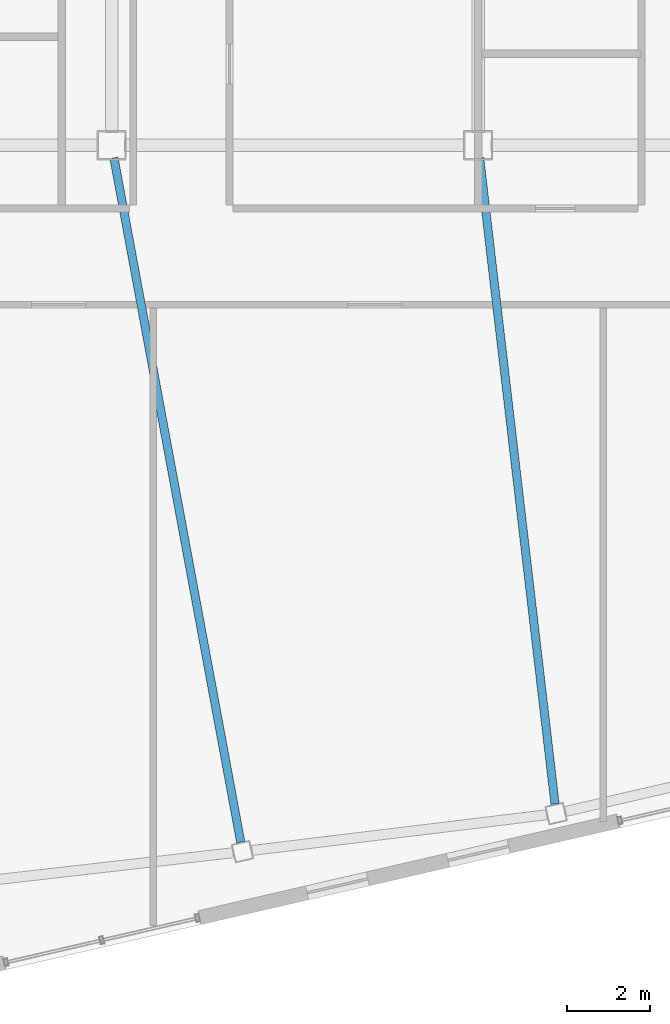
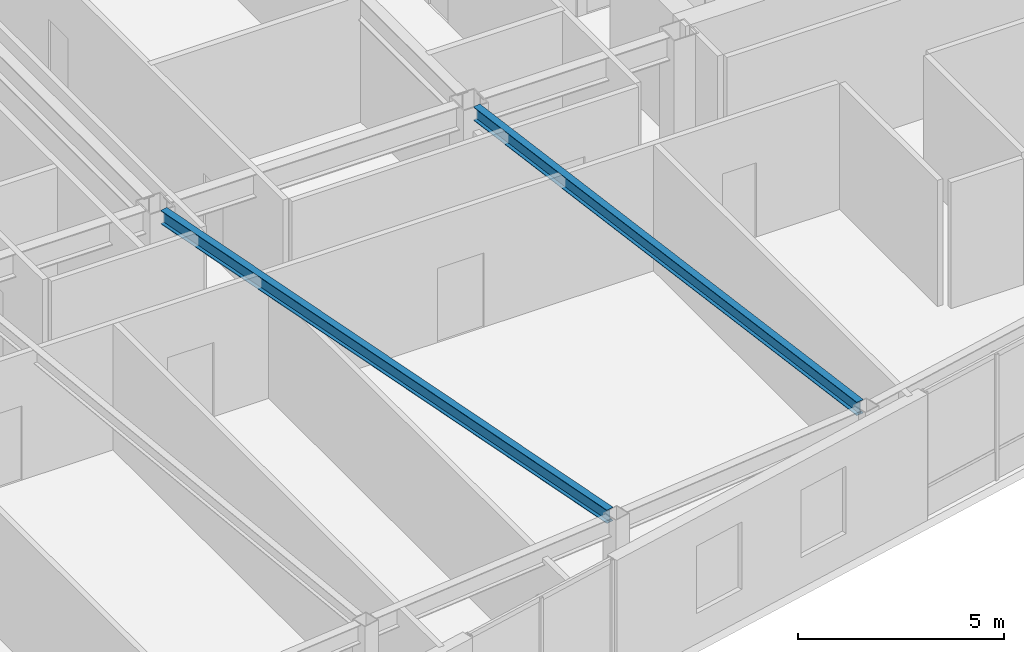
# One storey, part 9 of 23: 2 beams.
"""IFC4 building model written with IfcOpenShell, lengths in metres."""

from ifc_helpers import new_model, si_unit, direction, frame, origin, origin_2d, place, context, subcontext, project, spatial, i_section, extrude, material, material_profile, profile_set, type_object, element, save


model = new_model("IFC4")

# Units and contexts
model_context = context("Model", 3, precision=1e-05, world=origin(), true_north=direction((0.0, 1.0)))
body_context = subcontext(model_context, "Body", "Model", "MODEL_VIEW")
ifc_project = project(units=[si_unit("LENGTHUNIT", "METRE"), si_unit("AREAUNIT", "SQUARE_METRE"), si_unit("VOLUMEUNIT", "CUBIC_METRE"), si_unit("PLANEANGLEUNIT", "RADIAN"), si_unit("MASSUNIT", "GRAM", prefix="KILO")], contexts=[model_context])

# Site, building, storey
site_placement = place(None, origin())
site = spatial("IfcSite", under=ifc_project, at=site_placement, CompositionType="ELEMENT")
building_placement = place(site_placement, origin())
building = spatial("IfcBuilding", under=site, at=building_placement, Name="Tavrogorsk Clinical Tower", CompositionType="ELEMENT")
storey_placement = place(building_placement, frame((0.0, 0.0, 301.0)))
storey = spatial("IfcBuildingStorey", under=building, at=storey_placement, Name="L70", CompositionType="ELEMENT", Elevation=301.0)

# Beams
ifc_material = material(Name="Structural steel S355", Category="steel")
ifc_material_profile = material_profile(ifc_material, i_section(OverallWidth=0.199951171875, OverallDepth=0.39990234375, WebThickness=0.010498046875, FlangeThickness=0.01611328125, at=origin_2d()), Name="B-400x200x10.5x16")
ifc_profile_set = profile_set([ifc_material_profile], Name="Structural steel S355")
beam_type = type_object("IfcBeamType", Name="FloorBeam_B400", PredefinedType="BEAM", material=ifc_profile_set)
beam_1_placement = place(storey_placement, frame((-4.343505859375, -6.65478515625, 3.5400390625), z_axis=(0.182181887688, -0.98326484723, 0.0), x_axis=(0.98326484723, 0.182181887688, 0.0)))
element("IfcBeam", 1, at=beam_1_placement, inside=storey, type_object=beam_type, Name="L70 Radial Floor Beam S4", PredefinedType="BEAM", context=body_context, shape_type="SweptSolid", body=[
    extrude(i_section(OverallWidth=0.199951171875, OverallDepth=0.39990234375, WebThickness=0.010498046875, FlangeThickness=0.01611328125, at=origin_2d()), origin(), (0.0, 0.0, 1.0), 16.70556640625),
])
beam_2_placement = place(storey_placement, frame((4.43603515625, -6.657958984375, 3.5400390625), z_axis=(0.115903069025, -0.993260529061, 0.0), x_axis=(0.993260529061, 0.115903069025, 0.0)))
element("IfcBeam", 2, at=beam_2_placement, inside=storey, type_object=beam_type, Name="L70 Radial Floor Beam S5", PredefinedType="BEAM", context=body_context, shape_type="SweptSolid", body=[
    extrude(i_section(OverallWidth=0.199951171875, OverallDepth=0.39990234375, WebThickness=0.010498046875, FlangeThickness=0.01611328125, at=origin_2d()), origin(), (0.0, 0.0, 1.0), 15.61279296875),
])

save(model, "model.ifc")
